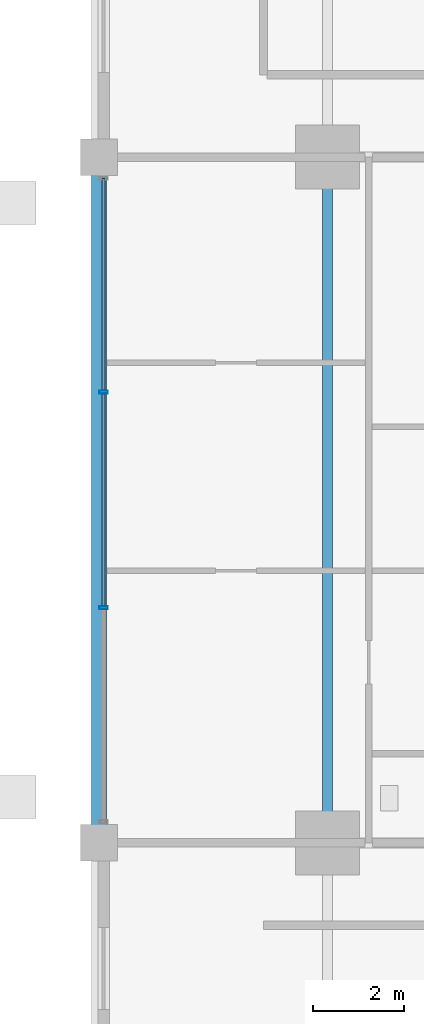
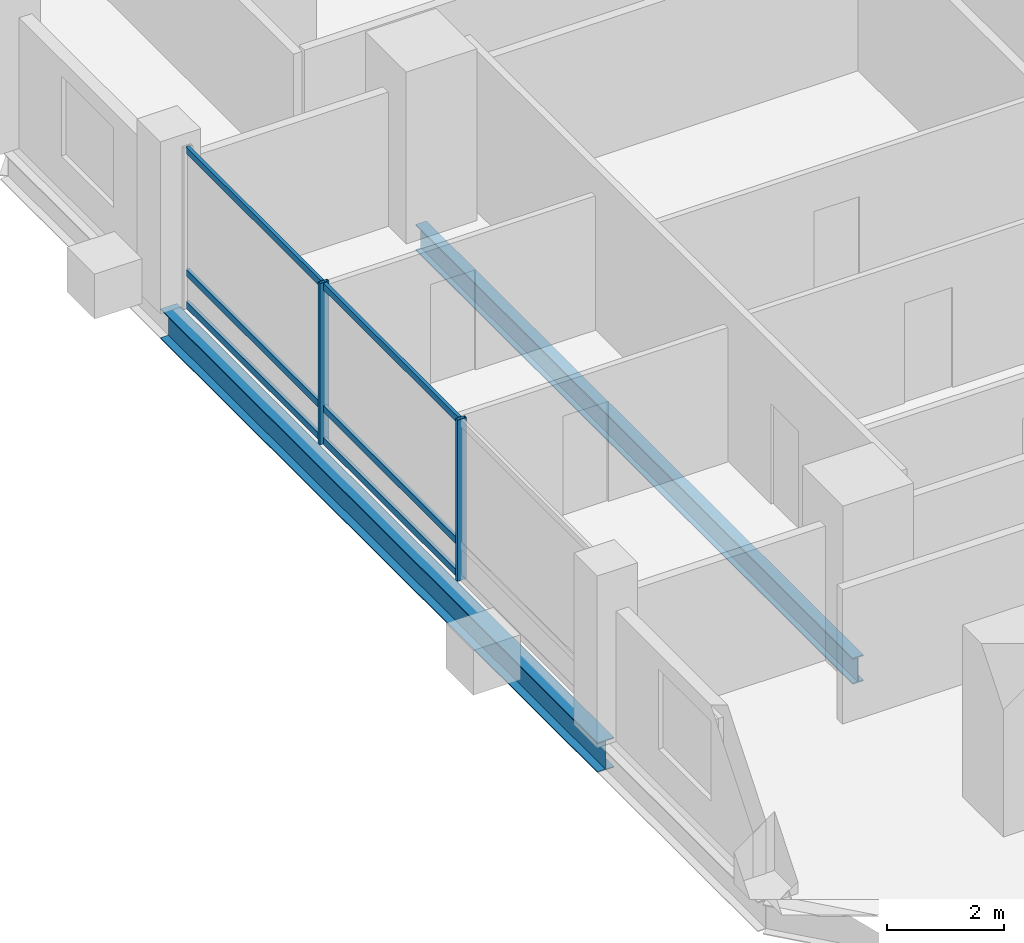
# One storey, part 6 of 23: 8 members, 2 beams, 1 element without a shape of its own.
"""IFC4 building model written with IfcOpenShell, lengths in metres."""

from ifc_helpers import new_model, si_unit, direction, frame, origin, origin_2d, place, context, subcontext, project, spatial, hollow_rectangle, i_section, extrude, material, layer, layer_set, material_profile, profile_set, type_object, element, aggregate, save


model = new_model("IFC4")

# Units and contexts
model_context = context("Model", 3, precision=1e-05, world=origin(), true_north=direction((0.0, 1.0)))
body_context = subcontext(model_context, "Body", "Model", "MODEL_VIEW")
ifc_project = project(units=[si_unit("LENGTHUNIT", "METRE"), si_unit("AREAUNIT", "SQUARE_METRE"), si_unit("VOLUMEUNIT", "CUBIC_METRE"), si_unit("PLANEANGLEUNIT", "RADIAN"), si_unit("MASSUNIT", "GRAM", prefix="KILO")], contexts=[model_context])

# Site, building, storey
site_placement = place(None, origin())
site = spatial("IfcSite", under=ifc_project, at=site_placement, CompositionType="ELEMENT")
building_placement = place(site_placement, origin())
building = spatial("IfcBuilding", under=site, at=building_placement, Name="Barlavira Tower and Art Museum", CompositionType="ELEMENT")
storey_placement = place(building_placement, frame((0.0, 0.0, 64.800048828125)))
storey = spatial("IfcBuildingStorey", under=building, at=storey_placement, Name="L15", CompositionType="ELEMENT", Elevation=64.800048828125)

# Curtain wall, members
ifc_material_1 = material(Name="Low-iron coastal laminated glass", Category="glass")
ifc_layer = layer(ifc_material_1, 0.179931640625, Name="Low-iron coastal laminated glass")
ifc_layer_set = layer_set([ifc_layer], Name="Low-iron coastal laminated glass")
curtain_wall_type = type_object("IfcCurtainWallType", Name="Pale-Metal Unitised Curtain Wall Zone 1", PredefinedType="NOTDEFINED", material=ifc_layer_set)
curtain_wall_placement = place(storey_placement, origin())
curtain_wall = element("IfcCurtainWall", 1, at=curtain_wall_placement, inside=storey, type_object=curtain_wall_type, Name="L15 Curtain Wall CW1-L15-W-B3", PredefinedType="NOTDEFINED")
ifc_material_2 = material(Name="Pale anodised aluminium", Category="aluminium")
ifc_material_profile_1 = material_profile(ifc_material_2, hollow_rectangle(XDim=0.06494140625, YDim=0.179931640625, WallThickness=0.00390625, at=origin_2d()), Name="ALU-MULL 65x180x4")
ifc_profile_set_1 = profile_set([ifc_material_profile_1], Name="Pale anodised aluminium")
member_type_1 = type_object("IfcMemberType", Name="Curtain Wall Pale-Metal Mullion 65x180", PredefinedType="MULLION", material=ifc_profile_set_1)
member_1_placement = place(storey_placement, frame((-21.89990234375, 2.360107421875, 0.0), z_axis=(0.0, 0.0, 1.0), x_axis=(0.0, -1.0, 0.0)))
member_1 = element("IfcMember", 2, at=member_1_placement, type_object=member_type_1, Name="CW1-L15-W-B3 Mullion 1", PredefinedType="MULLION", context=body_context, shape_type="SweptSolid", body=[
    extrude(hollow_rectangle(XDim=0.06494140625, YDim=0.179931640625, WallThickness=0.00390625, at=origin_2d()), origin(), (0.0, 0.0, 1.0), 3.3798828125),
])
member_2_placement = place(storey_placement, frame((-21.89990234375, -2.360107421875, 0.0), z_axis=(0.0, 0.0, 1.0), x_axis=(0.0, -1.0, 0.0)))
member_2 = element("IfcMember", 3, at=member_2_placement, type_object=member_type_1, Name="CW1-L15-W-B3 Mullion 2", PredefinedType="MULLION", context=body_context, shape_type="SweptSolid", body=[
    extrude(hollow_rectangle(XDim=0.06494140625, YDim=0.179931640625, WallThickness=0.00390625, at=origin_2d()), origin(), (0.0, 0.0, 1.0), 3.3798828125),
])
ifc_material_profile_2 = material_profile(ifc_material_2, hollow_rectangle(XDim=0.06494140625, YDim=0.139892578125, WallThickness=0.00390625, at=origin_2d()), Name="ALU-TRAN 65x140x4")
ifc_profile_set_2 = profile_set([ifc_material_profile_2], Name="Pale anodised aluminium")
member_type_2 = type_object("IfcMemberType", Name="Curtain Wall Pale-Metal Transom 65x140", PredefinedType="USERDEFINED", material=ifc_profile_set_2)
member_3_placement = place(storey_placement, frame((-21.89990234375, 7.034912109375, 0.070068359375), z_axis=(0.0, -1.0, 0.0), x_axis=(1.0, 0.0, 0.0)))
member_3 = element("IfcMember", 4, at=member_3_placement, type_object=member_type_2, Name="CW1-L15-W-B3 Transom 0.1", ObjectType="TRANSOM", PredefinedType="USERDEFINED", context=body_context, shape_type="SweptSolid", body=[
    extrude(hollow_rectangle(XDim=0.06494140625, YDim=0.139892578125, WallThickness=0.00390625, at=origin_2d()), origin(), (0.0, 0.0, 1.0), 4.6298828125),
])
member_4_placement = place(storey_placement, frame((-21.89990234375, 7.034912109375, 0.743896484375), z_axis=(0.0, -1.0, 0.0), x_axis=(1.0, 0.0, 0.0)))
member_4 = element("IfcMember", 5, at=member_4_placement, type_object=member_type_2, Name="CW1-L15-W-B3 Transom 0.2", ObjectType="TRANSOM", PredefinedType="USERDEFINED", context=body_context, shape_type="SweptSolid", body=[
    extrude(hollow_rectangle(XDim=0.06494140625, YDim=0.139892578125, WallThickness=0.00390625, at=origin_2d()), origin(), (0.0, 0.0, 1.0), 4.6298828125),
])
member_5_placement = place(storey_placement, frame((-21.89990234375, 7.034912109375, 3.31005859375), z_axis=(0.0, -1.0, 0.0), x_axis=(1.0, 0.0, 0.0)))
member_5 = element("IfcMember", 6, at=member_5_placement, type_object=member_type_2, Name="CW1-L15-W-B3 Transom 0.3", ObjectType="TRANSOM", PredefinedType="USERDEFINED", context=body_context, shape_type="SweptSolid", body=[
    extrude(hollow_rectangle(XDim=0.06494140625, YDim=0.139892578125, WallThickness=0.00390625, at=origin_2d()), origin(), (0.0, 0.0, 1.0), 4.6298828125),
])
member_6_placement = place(storey_placement, frame((-21.89990234375, 2.31494140625, 0.070068359375), z_axis=(0.0, -1.0, 0.0), x_axis=(1.0, 0.0, 0.0)))
member_6 = element("IfcMember", 7, at=member_6_placement, type_object=member_type_2, Name="CW1-L15-W-B3 Transom 1.1", ObjectType="TRANSOM", PredefinedType="USERDEFINED", context=body_context, shape_type="SweptSolid", body=[
    extrude(hollow_rectangle(XDim=0.06494140625, YDim=0.139892578125, WallThickness=0.00390625, at=origin_2d()), origin(), (0.0, 0.0, 1.0), 4.6298828125),
])
member_7_placement = place(storey_placement, frame((-21.89990234375, 2.31494140625, 0.743896484375), z_axis=(0.0, -1.0, 0.0), x_axis=(1.0, 0.0, 0.0)))
member_7 = element("IfcMember", 8, at=member_7_placement, type_object=member_type_2, Name="CW1-L15-W-B3 Transom 1.2", ObjectType="TRANSOM", PredefinedType="USERDEFINED", context=body_context, shape_type="SweptSolid", body=[
    extrude(hollow_rectangle(XDim=0.06494140625, YDim=0.139892578125, WallThickness=0.00390625, at=origin_2d()), origin(), (0.0, 0.0, 1.0), 4.6298828125),
])
member_8_placement = place(storey_placement, frame((-21.89990234375, 2.31494140625, 3.31005859375), z_axis=(0.0, -1.0, 0.0), x_axis=(1.0, 0.0, 0.0)))
member_8 = element("IfcMember", 9, at=member_8_placement, type_object=member_type_2, Name="CW1-L15-W-B3 Transom 1.3", ObjectType="TRANSOM", PredefinedType="USERDEFINED", context=body_context, shape_type="SweptSolid", body=[
    extrude(hollow_rectangle(XDim=0.06494140625, YDim=0.139892578125, WallThickness=0.00390625, at=origin_2d()), origin(), (0.0, 0.0, 1.0), 4.6298828125),
])
aggregate(curtain_wall, [member_1, member_2, member_3, member_4, member_5, member_6, member_7, member_8])

# Beams
ifc_material_3 = material(Name="Steel S355", Category="steel")
ifc_material_profile_3 = material_profile(ifc_material_3, i_section(OverallWidth=0.327880859375, OverallDepth=0.62890625, WebThickness=0.013916015625, FlangeThickness=0.021484375, at=origin_2d()), Name="W610x174.0")
ifc_profile_set_3 = profile_set([ifc_material_profile_3], Name="Steel S355")
beam_type_1 = type_object("IfcBeamType", Name="Perimeter Spandrel Edge Beam W610x174 Steel S355", PredefinedType="SPANDREL", material=ifc_profile_set_3)
beam_1_placement = place(storey_placement, frame((-22.0, -7.5, -0.53466796875), z_axis=(0.0, 1.0, 0.0), x_axis=(-1.0, 0.0, 0.0)))
element("IfcBeam", 10, at=beam_1_placement, inside=storey, type_object=beam_type_1, Name="L15 Spandrel 14", PredefinedType="SPANDREL", context=body_context, shape_type="SweptSolid", body=[
    extrude(i_section(OverallWidth=0.327880859375, OverallDepth=0.62890625, WebThickness=0.013916015625, FlangeThickness=0.021484375, at=origin_2d()), origin(), (0.0, 0.0, 1.0), 15.0),
])
ifc_material_profile_4 = material_profile(ifc_material_3, i_section(OverallWidth=0.214111328125, OverallDepth=0.549072265625, WebThickness=0.0146484375, FlangeThickness=0.023681640625, at=origin_2d()), Name="W530x138.0")
ifc_profile_set_4 = profile_set([ifc_material_profile_4], Name="Steel S355")
beam_type_2 = type_object("IfcBeamType", Name="Zone 1 Primary Floor Girder W530x138 Steel S355", PredefinedType="BEAM", material=ifc_profile_set_4)
beam_2_placement = place(storey_placement, frame((-17.0, -7.5, -0.49462890625), z_axis=(0.0, 1.0, 0.0), x_axis=(-1.0, 0.0, 0.0)))
element("IfcBeam", 11, at=beam_2_placement, inside=storey, type_object=beam_type_2, Name="L15 Girder M-W2", PredefinedType="BEAM", context=body_context, shape_type="SweptSolid", body=[
    extrude(i_section(OverallWidth=0.214111328125, OverallDepth=0.549072265625, WebThickness=0.0146484375, FlangeThickness=0.023681640625, at=origin_2d()), origin(), (0.0, 0.0, 1.0), 15.0),
])

save(model, "model.ifc")
